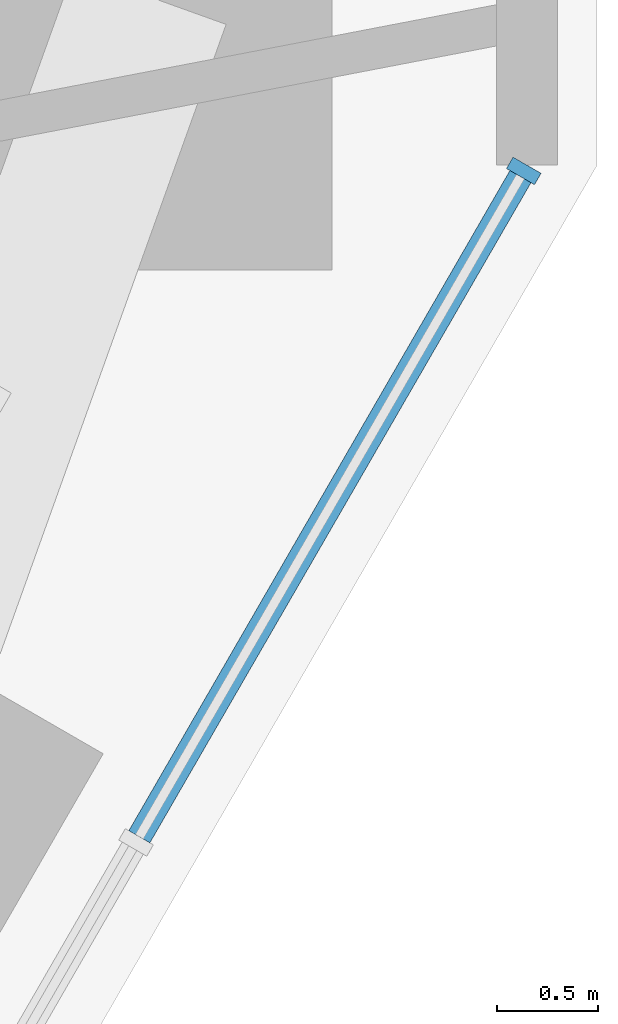
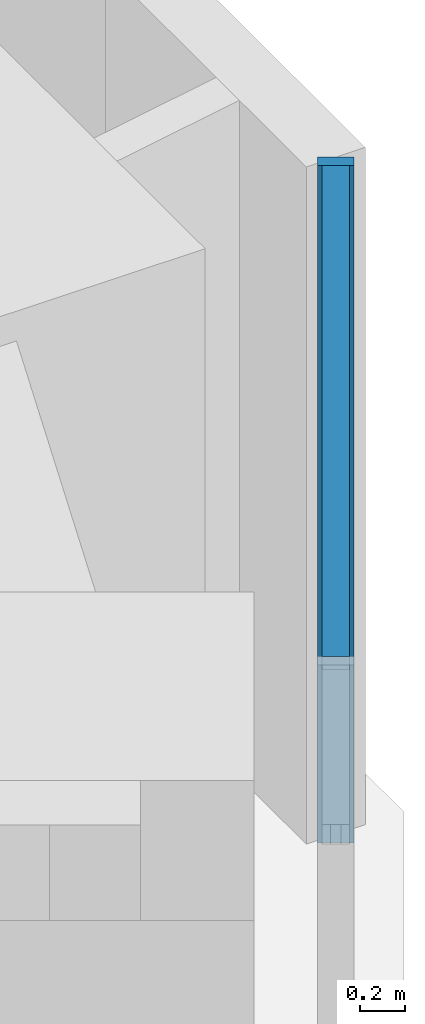
# One storey, part 6 of 16: 2 members, 1 element without a shape of its own.
"""IFC4 building model written with IfcOpenShell, lengths in metres."""

from ifc_helpers import new_model, si_unit, direction, frame, origin, origin_2d, place, context, subcontext, project, spatial, rectangle, extrude, material, material_profile, profile_set, type_object, element, aggregate, save


model = new_model("IFC4")

# Units and contexts
model_context = context("Model", 3, precision=1e-05, world=origin(), true_north=direction((0.0, 1.0)))
body_context = subcontext(model_context, "Body", "Model", "MODEL_VIEW")
ifc_project = project(units=[si_unit("LENGTHUNIT", "METRE"), si_unit("AREAUNIT", "SQUARE_METRE"), si_unit("VOLUMEUNIT", "CUBIC_METRE"), si_unit("PLANEANGLEUNIT", "RADIAN"), si_unit("MASSUNIT", "GRAM", prefix="KILO")], contexts=[model_context])

# Site, building, storey
site_placement = place(None, origin())
site = spatial("IfcSite", under=ifc_project, at=site_placement, CompositionType="ELEMENT")
building_placement = place(site_placement, origin())
building = spatial("IfcBuilding", under=site, at=building_placement, Name="Sandreach Pilgrim Tower", CompositionType="ELEMENT")
storey_placement = place(building_placement, frame((0.0, 0.0, 183.199951171875)))
storey = spatial("IfcBuildingStorey", under=building, at=storey_placement, Name="L45", CompositionType="ELEMENT", Elevation=183.199951171875)

# Curtain wall, members
ifc_material_1 = material(Name="Aluminium framed curtain wall", Category="aluminium")
curtain_wall_type = type_object("IfcCurtainWallType", Name="Upper hotel tower curtain wall", PredefinedType="NOTDEFINED", material=ifc_material_1)
curtain_wall_placement = place(storey_placement, origin())
curtain_wall = element("IfcCurtainWall", 1, at=curtain_wall_placement, inside=storey, type_object=curtain_wall_type, Name="CW-3 L45 SE", PredefinedType="NOTDEFINED")
ifc_material_2 = material(Name="Aluminium extrusion", Category="aluminium")
ifc_material_profile_1 = material_profile(ifc_material_2, rectangle(XDim=0.06494140625, YDim=0.159912109375, at=origin_2d()), Name="CW-3M 65X160")
ifc_profile_set_1 = profile_set([ifc_material_profile_1], Name="Aluminium extrusion")
member_type_1 = type_object("IfcMemberType", Name="CW-3 mullion", PredefinedType="MULLION", material=ifc_profile_set_1)
member_1_placement = place(storey_placement, frame((27.00390625, 4.451904296875, 0.0), z_axis=(0.0, 0.0, 1.0), x_axis=(-0.5, -0.866025403784, 0.0)))
member_1 = element("IfcMember", 2, at=member_1_placement, type_object=member_type_1, Name="CW-3 mullion 1", PredefinedType="MULLION", context=body_context, shape_type="SweptSolid", body=[
    extrude(rectangle(XDim=0.06494140625, YDim=0.159912109375, at=origin_2d()), origin(), (0.0, 0.0, 1.0), 3.64013671875),
])
ifc_material_3 = material(Name="Aluminium extrusion", Category="aluminium")
ifc_material_profile_2 = material_profile(ifc_material_3, rectangle(XDim=0.1201171875, YDim=0.070068359375, at=origin_2d()), Name="CW-3T 120X70")
ifc_profile_set_2 = profile_set([ifc_material_profile_2], Name="Aluminium extrusion")
member_type_2 = type_object("IfcMemberType", Name="CW-3 transom", PredefinedType="USERDEFINED", material=ifc_profile_set_2)
member_2_placement = place(storey_placement, frame((26.987548828125, 4.423828125, 3.60498046875), z_axis=(-0.499944992379, -0.86605716012, 0.0), x_axis=(0.86605716012, -0.499944992379, 0.0)))
member_2 = element("IfcMember", 3, at=member_2_placement, type_object=member_type_2, Name="CW-3 head transom 1", ObjectType="TRANSOM", PredefinedType="USERDEFINED", context=body_context, shape_type="SweptSolid", body=[
    extrude(rectangle(XDim=0.1201171875, YDim=0.070068359375, at=origin_2d()), origin(), (0.0, 0.0, 1.0), 3.76708984375),
])
aggregate(curtain_wall, [member_1, member_2])

save(model, "model.ifc")
